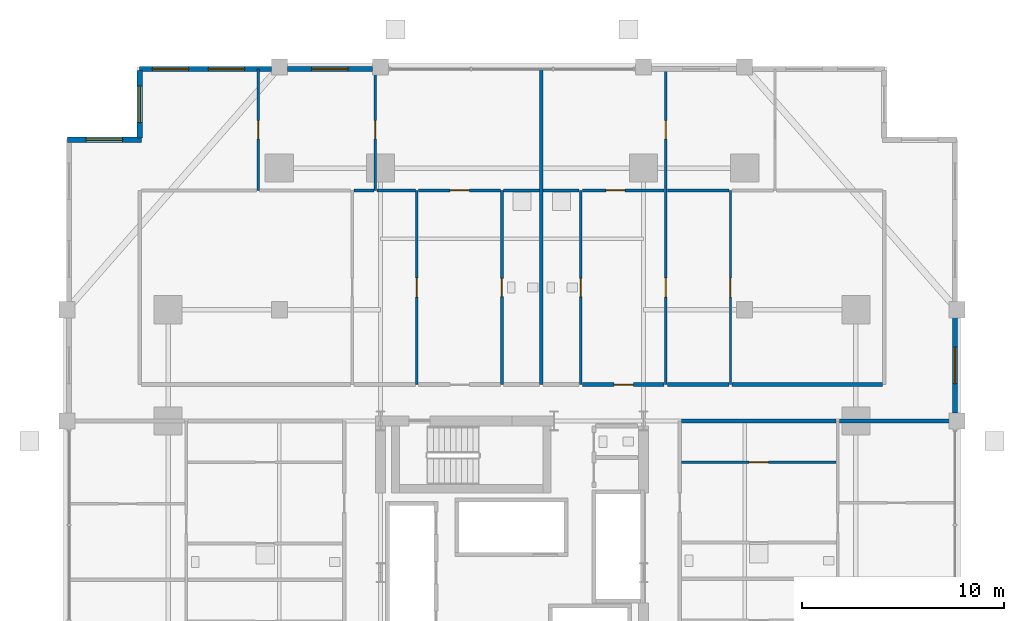
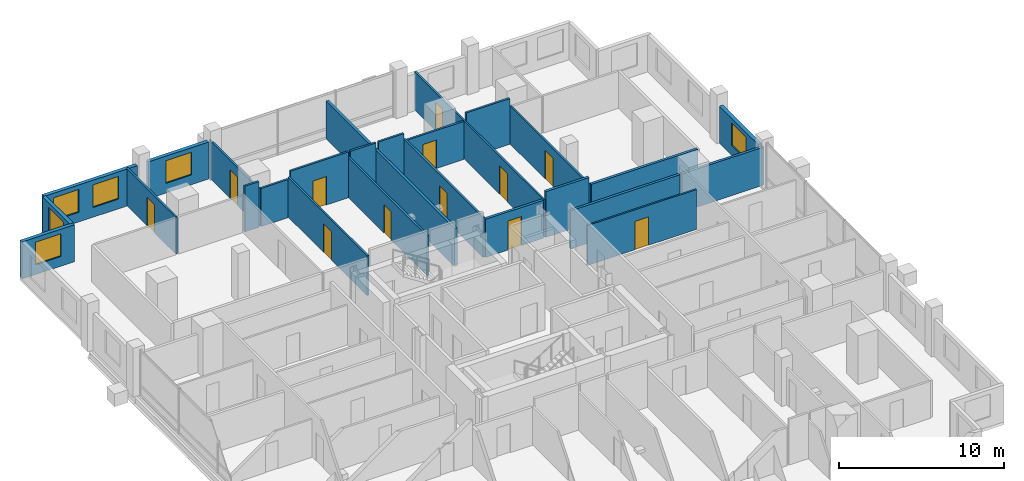
# One storey, part 21 of 24: 26 walls, 12 doors, 6 windows, 18 openings.
"""IFC4 building model written with IfcOpenShell, lengths in metres."""

from ifc_helpers import new_model, si_unit, direction, frame, frame_2d, origin, place, context, subcontext, project, spatial, rectangle, extrude, material, layer, layer_set, type_object, element, fill, save


model = new_model("IFC4")

# Units and contexts
model_context = context("Model", 3, precision=1e-05, world=origin(), true_north=direction((0.0, 1.0)))
body_context = subcontext(model_context, "Body", "Model", "MODEL_VIEW")
ifc_project = project(units=[si_unit("LENGTHUNIT", "METRE"), si_unit("AREAUNIT", "SQUARE_METRE"), si_unit("VOLUMEUNIT", "CUBIC_METRE"), si_unit("PLANEANGLEUNIT", "RADIAN"), si_unit("MASSUNIT", "GRAM", prefix="KILO")], contexts=[model_context])

# Site, building, storey
site_placement = place(None, origin())
site = spatial("IfcSite", under=ifc_project, at=site_placement, CompositionType="ELEMENT")
building_placement = place(site_placement, origin())
building = spatial("IfcBuilding", under=site, at=building_placement, Name="Barlavira Tower and Art Museum", CompositionType="ELEMENT")
storey_placement = place(building_placement, frame((0.0, 0.0, 32.39990234375)))
storey = spatial("IfcBuildingStorey", under=building, at=storey_placement, Name="L06", CompositionType="ELEMENT", Elevation=32.39990234375)

# Wall, opening, door
ifc_material_1 = material(Name="Gypsum acoustic stud partition", Category="gypsum")
ifc_layer_1 = layer(ifc_material_1, 0.1201171875, Name="Gypsum acoustic stud partition")
ifc_layer_set_1 = layer_set([ifc_layer_1], Name="Gypsum acoustic stud partition")
wall_type_1 = type_object("IfcWallType", Name="Apartment Internal Acoustic Partition 120", PredefinedType="PARTITIONING", material=ifc_layer_set_1)
wall_1_placement = place(storey_placement, frame((-12.550048828125, 18.89990234375, 0.0), z_axis=(0.0, 0.0, 1.0), x_axis=(0.0, 1.0, 0.0)))
wall_1 = element("IfcWall", 1, at=wall_1_placement, inside=storey, type_object=wall_type_1, Name="L06 Partition Wall 7", PredefinedType="PARTITIONING", context=body_context, shape_type="SweptSolid", body=[
    extrude(rectangle(XDim=6.0, YDim=0.1201171875, at=frame_2d((3.0, 0.0))), origin(), (0.0, 0.0, 1.0), 2.736083984375),
])
opening_1_placement = place(wall_1_placement, frame((2.550048828125, 0.0, 0.0)))
opening_1 = element("IfcOpeningElement", 2, at=opening_1_placement, cuts=wall_1, Name="Opening D-01", PredefinedType="OPENING", context=body_context, shape_type="SweptSolid", body=[
    extrude(rectangle(XDim=0.89990234375, YDim=2.10009765625, at=frame_2d((0.449951171875, 1.050048828125))), frame((0.0, 0.070068359375, 0.0), z_axis=(0.0, -1.0, 0.0), x_axis=(1.0, 0.0, 0.0)), (0.0, 0.0, 1.0), 0.14013671875),
])
ifc_material_2 = material(Name="Engineered coastal hardwood", Category="wood")
door_type_1 = type_object("IfcDoorType", Name="Internal Bedroom Timber Flush Door 900x2100", OperationType="NOTDEFINED", PredefinedType="DOOR", material=ifc_material_2)
door_1_placement = place(opening_1_placement, origin())
door_1 = element("IfcDoor", 3, at=door_1_placement, inside=storey, type_object=door_type_1, Name="Apartment N1 Bedroom 2 Door", OperationType="SINGLE_SWING_LEFT", OverallHeight=2.10009765625, OverallWidth=0.89990234375, PredefinedType="DOOR", context=body_context, shape_type="SweptSolid", body=[
    extrude(rectangle(XDim=0.89990234375, YDim=2.10009765625, at=frame_2d((0.449951171875, 1.050048828125))), frame((0.0, 0.02490234375, 0.0), z_axis=(0.0, -1.0, 0.0), x_axis=(1.0, 0.0, 0.0)), (0.0, 0.0, 1.0), 0.050048828125),
])
fill(opening_1, door_1)

wall_2_placement = place(storey_placement, frame((-6.75, 18.89990234375, 0.0), z_axis=(0.0, 0.0, 1.0), x_axis=(0.0, 1.0, 0.0)))
wall_2 = element("IfcWall", 4, at=wall_2_placement, inside=storey, type_object=wall_type_1, Name="L06 Partition Wall 12", PredefinedType="PARTITIONING", context=body_context, shape_type="SweptSolid", body=[
    extrude(rectangle(XDim=6.0, YDim=0.1201171875, at=frame_2d((3.0, 0.0))), origin(), (0.0, 0.0, 1.0), 2.816162109375),
])
opening_2_placement = place(wall_2_placement, frame((2.550048828125, 0.0, 0.0)))
opening_2 = element("IfcOpeningElement", 5, at=opening_2_placement, cuts=wall_2, Name="Opening D-01", PredefinedType="OPENING", context=body_context, shape_type="SweptSolid", body=[
    extrude(rectangle(XDim=0.89990234375, YDim=2.10009765625, at=frame_2d((0.449951171875, 1.050048828125))), frame((0.0, 0.070068359375, 0.0), z_axis=(0.0, -1.0, 0.0), x_axis=(1.0, 0.0, 0.0)), (0.0, 0.0, 1.0), 0.14013671875),
])
door_2_placement = place(opening_2_placement, origin())
door_2 = element("IfcDoor", 6, at=door_2_placement, inside=storey, type_object=door_type_1, Name="Apartment N1 Bedroom 1 Door", OperationType="SINGLE_SWING_RIGHT", OverallHeight=2.10009765625, OverallWidth=0.89990234375, PredefinedType="DOOR", context=body_context, shape_type="SweptSolid", body=[
    extrude(rectangle(XDim=0.89990234375, YDim=2.10009765625, at=frame_2d((0.449951171875, 1.050048828125))), frame((0.0, 0.02490234375, 0.0), z_axis=(0.0, -1.0, 0.0), x_axis=(1.0, 0.0, 0.0)), (0.0, 0.0, 1.0), 0.050048828125),
])
fill(opening_2, door_2)

wall_3_placement = place(storey_placement, frame((-4.699951171875, 9.300048828125, 0.0), z_axis=(0.0, 0.0, 1.0), x_axis=(0.0, 1.0, 0.0)))
wall_3 = element("IfcWall", 7, at=wall_3_placement, inside=storey, type_object=wall_type_1, Name="L06 Partition Wall 13", PredefinedType="PARTITIONING", context=body_context, shape_type="SweptSolid", body=[
    extrude(rectangle(XDim=9.599853515625, YDim=0.1201171875, at=frame_2d((4.7998046875, 0.0))), origin(), (0.0, 0.0, 1.0), 2.947998046875),
])
opening_3_placement = place(wall_3_placement, frame((4.324951171875, 0.0, 0.0)))
opening_3 = element("IfcOpeningElement", 8, at=opening_3_placement, cuts=wall_3, Name="Opening D-02", PredefinedType="OPENING", context=body_context, shape_type="SweptSolid", body=[
    extrude(rectangle(XDim=0.949951171875, YDim=2.10009765625, at=frame_2d((0.47509765625, 1.050048828125))), frame((0.0, 0.070068359375, 0.0), z_axis=(0.0, -1.0, 0.0), x_axis=(1.0, 0.0, 0.0)), (0.0, 0.0, 1.0), 0.14013671875),
])
door_type_2 = type_object("IfcDoorType", Name="Living and Salon Glazed-Leaf Door 950x2100", OperationType="NOTDEFINED", PredefinedType="DOOR", material=ifc_material_2)
door_3_placement = place(opening_3_placement, origin())
door_3 = element("IfcDoor", 9, at=door_3_placement, inside=storey, type_object=door_type_2, Name="Apartment N1 Kitchen Door", OperationType="SINGLE_SWING_LEFT", OverallHeight=2.10009765625, OverallWidth=0.949951171875, PredefinedType="DOOR", context=body_context, shape_type="SweptSolid", body=[
    extrude(rectangle(XDim=0.949951171875, YDim=2.10009765625, at=frame_2d((0.47509765625, 1.050048828125))), frame((0.0, 0.02490234375, 0.0), z_axis=(0.0, -1.0, 0.0), x_axis=(1.0, 0.0, 0.0)), (0.0, 0.0, 1.0), 0.050048828125),
])
fill(opening_3, door_3)

# Wall, openings, doors
wall_4_placement = place(storey_placement, frame((7.60009765625, 9.300048828125, 0.0), z_axis=(0.0, 0.0, 1.0), x_axis=(0.0, 1.0, 0.0)))
wall_4 = element("IfcWall", 10, at=wall_4_placement, inside=storey, type_object=wall_type_1, Name="L06 Partition Wall 22", PredefinedType="PARTITIONING", context=body_context, shape_type="SweptSolid", body=[
    extrude(rectangle(XDim=15.599853515625, YDim=0.1201171875, at=frame_2d((7.7998046875, 0.0))), origin(), (0.0, 0.0, 1.0), 2.816162109375),
])
opening_4_placement = place(wall_4_placement, frame((4.324951171875, 0.0, 0.0)))
opening_4 = element("IfcOpeningElement", 11, at=opening_4_placement, cuts=wall_4, Name="Opening D-02", PredefinedType="OPENING", context=body_context, shape_type="SweptSolid", body=[
    extrude(rectangle(XDim=0.949951171875, YDim=2.10009765625, at=frame_2d((0.47509765625, 1.050048828125))), frame((0.0, 0.070068359375, 0.0), z_axis=(0.0, -1.0, 0.0), x_axis=(1.0, 0.0, 0.0)), (0.0, 0.0, 1.0), 0.14013671875),
])
opening_5_placement = place(wall_4_placement, frame((12.14990234375, 0.0, 0.0)))
opening_5 = element("IfcOpeningElement", 12, at=opening_5_placement, cuts=wall_4, Name="Opening D-01", PredefinedType="OPENING", context=body_context, shape_type="SweptSolid", body=[
    extrude(rectangle(XDim=0.89990234375, YDim=2.10009765625, at=frame_2d((0.449951171875, 1.050048828125))), frame((0.0, 0.070068359375, 0.0), z_axis=(0.0, -1.0, 0.0), x_axis=(1.0, 0.0, 0.0)), (0.0, 0.0, 1.0), 0.14013671875),
])
door_4_placement = place(opening_5_placement, origin())
door_4 = element("IfcDoor", 13, at=door_4_placement, inside=storey, type_object=door_type_1, Name="Apartment N2 Bedroom 1 Door", OperationType="SINGLE_SWING_LEFT", OverallHeight=2.10009765625, OverallWidth=0.89990234375, PredefinedType="DOOR", context=body_context, shape_type="SweptSolid", body=[
    extrude(rectangle(XDim=0.89990234375, YDim=2.10009765625, at=frame_2d((0.449951171875, 1.050048828125))), frame((0.0, 0.02490234375, 0.0), z_axis=(0.0, -1.0, 0.0), x_axis=(1.0, 0.0, 0.0)), (0.0, 0.0, 1.0), 0.050048828125),
])
fill(opening_5, door_4)
door_5_placement = place(opening_4_placement, origin())
door_5 = element("IfcDoor", 14, at=door_5_placement, inside=storey, type_object=door_type_2, Name="Apartment N2 Kitchen Door", OperationType="SINGLE_SWING_RIGHT", OverallHeight=2.10009765625, OverallWidth=0.949951171875, PredefinedType="DOOR", context=body_context, shape_type="SweptSolid", body=[
    extrude(rectangle(XDim=0.949951171875, YDim=2.10009765625, at=frame_2d((0.47509765625, 1.050048828125))), frame((0.0, 0.02490234375, 0.0), z_axis=(0.0, -1.0, 0.0), x_axis=(1.0, 0.0, 0.0)), (0.0, 0.0, 1.0), 0.050048828125),
])
fill(opening_4, door_5)

# Wall, opening, door
wall_5_placement = place(storey_placement, frame((10.800048828125, 9.300048828125, 0.0), z_axis=(0.0, 0.0, 1.0), x_axis=(0.0, 1.0, 0.0)))
wall_5 = element("IfcWall", 15, at=wall_5_placement, inside=storey, type_object=wall_type_1, Name="L06 Partition Wall 26", PredefinedType="PARTITIONING", context=body_context, shape_type="SweptSolid", body=[
    extrude(rectangle(XDim=9.599853515625, YDim=0.1201171875, at=frame_2d((4.7998046875, 0.0))), origin(), (0.0, 0.0, 1.0), 2.816162109375),
])
opening_6_placement = place(wall_5_placement, frame((4.324951171875, 0.0, 0.0)))
opening_6 = element("IfcOpeningElement", 16, at=opening_6_placement, cuts=wall_5, Name="Opening D-02", PredefinedType="OPENING", context=body_context, shape_type="SweptSolid", body=[
    extrude(rectangle(XDim=0.949951171875, YDim=2.10009765625, at=frame_2d((0.47509765625, 1.050048828125))), frame((0.0, 0.070068359375, 0.0), z_axis=(0.0, -1.0, 0.0), x_axis=(1.0, 0.0, 0.0)), (0.0, 0.0, 1.0), 0.14013671875),
])
door_6_placement = place(opening_6_placement, origin())
door_6 = element("IfcDoor", 17, at=door_6_placement, inside=storey, type_object=door_type_2, Name="Apartment N2 Dining Salon Door", OperationType="SINGLE_SWING_LEFT", OverallHeight=2.10009765625, OverallWidth=0.949951171875, PredefinedType="DOOR", context=body_context, shape_type="SweptSolid", body=[
    extrude(rectangle(XDim=0.949951171875, YDim=2.10009765625, at=frame_2d((0.47509765625, 1.050048828125))), frame((0.0, 0.02490234375, 0.0), z_axis=(0.0, -1.0, 0.0), x_axis=(1.0, 0.0, 0.0)), (0.0, 0.0, 1.0), 0.050048828125),
])
fill(opening_6, door_6)

wall_6_placement = place(storey_placement, frame((8.3798828125, 5.449951171875, 0.0), z_axis=(0.0, 0.0, 1.0), x_axis=(1.0, 0.0, 0.0)))
wall_6 = element("IfcWall", 18, at=wall_6_placement, inside=storey, type_object=wall_type_1, Name="L06 Partition Wall 77", PredefinedType="PARTITIONING", context=body_context, shape_type="SweptSolid", body=[
    extrude(rectangle(XDim=7.64013671875, YDim=0.1201171875, at=frame_2d((3.820068359375, 0.0))), origin(), (0.0, 0.0, 1.0), 2.947998046875),
])
opening_7_placement = place(wall_6_placement, frame((3.344970703125, 0.0, 0.0)))
opening_7 = element("IfcOpeningElement", 19, at=opening_7_placement, cuts=wall_6, Name="Opening D-02", PredefinedType="OPENING", context=body_context, shape_type="SweptSolid", body=[
    extrude(rectangle(XDim=0.949951171875, YDim=2.10009765625, at=frame_2d((0.47509765625, 1.050048828125))), frame((0.0, 0.070068359375, 0.0), z_axis=(0.0, -1.0, 0.0), x_axis=(1.0, 0.0, 0.0)), (0.0, 0.0, 1.0), 0.14013671875),
])
door_7_placement = place(opening_7_placement, origin())
door_7 = element("IfcDoor", 20, at=door_7_placement, inside=storey, type_object=door_type_2, Name="Apartment E2 Kitchen Door", OperationType="SINGLE_SWING_RIGHT", OverallHeight=2.10009765625, OverallWidth=0.949951171875, PredefinedType="DOOR", context=body_context, shape_type="SweptSolid", body=[
    extrude(rectangle(XDim=0.949951171875, YDim=2.10009765625, at=frame_2d((0.47509765625, 1.050048828125))), frame((0.0, 0.02490234375, 0.0), z_axis=(0.0, -1.0, 0.0), x_axis=(1.0, 0.0, 0.0)), (0.0, 0.0, 1.0), 0.050048828125),
])
fill(opening_7, door_7)

# Walls
ifc_layer_2 = layer(ifc_material_1, 0.179931640625, Name="Gypsum acoustic stud partition")
ifc_layer_set_2 = layer_set([ifc_layer_2], Name="Gypsum acoustic stud partition")
wall_type_2 = type_object("IfcWallType", Name="Inter-Tenancy Party Partition Wall 180", PredefinedType="PARTITIONING", material=ifc_layer_set_2)
wall_7_placement = place(storey_placement, frame((1.449951171875, 9.300048828125, 0.0), z_axis=(0.0, 0.0, 1.0), x_axis=(0.0, 1.0, 0.0)))
element("IfcWall", 21, at=wall_7_placement, inside=storey, type_object=wall_type_2, Name="L06 Partition Wall 18", PredefinedType="PARTITIONING", context=body_context, shape_type="SweptSolid", body=[
    extrude(rectangle(XDim=15.599853515625, YDim=0.179931640625, at=frame_2d((7.7998046875, 0.0))), origin(), (0.0, 0.0, 1.0), 2.816162109375),
])
wall_8_placement = place(storey_placement, frame((8.3798828125, 7.5, 0.0), z_axis=(0.0, 0.0, 1.0), x_axis=(1.0, 0.0, 0.0)))
element("IfcWall", 22, at=wall_8_placement, inside=storey, type_object=wall_type_2, Name="L06 Partition Wall 82", PredefinedType="PARTITIONING", context=body_context, shape_type="SweptSolid", body=[
    extrude(rectangle(XDim=7.64013671875, YDim=0.179931640625, at=frame_2d((3.820068359375, 0.0))), origin(), (0.0, 0.0, 1.0), 2.816162109375),
])
wall_9_placement = place(storey_placement, frame((16.179931640625, 7.5, 0.0), z_axis=(0.0, 0.0, 1.0), x_axis=(1.0, 0.0, 0.0)))
element("IfcWall", 23, at=wall_9_placement, inside=storey, type_object=wall_type_2, Name="L06 Partition Wall 83", PredefinedType="PARTITIONING", context=body_context, shape_type="SweptSolid", body=[
    extrude(rectangle(XDim=5.719970703125, YDim=0.179931640625, at=frame_2d((2.85986328125, 0.0))), origin(), (0.0, 0.0, 1.0), 2.816162109375),
])

# Wall, opening, door
wall_10_placement = place(storey_placement, frame((3.47998046875, 9.300048828125, 0.0), z_axis=(0.0, 0.0, 1.0), x_axis=(1.0, 0.0, 0.0)))
wall_10 = element("IfcWall", 24, at=wall_10_placement, inside=storey, type_object=wall_type_2, Name="L06 Partition Wall 89", PredefinedType="PARTITIONING", context=body_context, shape_type="SweptSolid", body=[
    extrude(rectangle(XDim=4.0400390625, YDim=0.179931640625, at=frame_2d((2.02001953125, 0.0))), origin(), (0.0, 0.0, 1.0), 2.816162109375),
])
opening_8_placement = place(wall_10_placement, frame((1.56494140625, 0.0, 0.0)))
opening_8 = element("IfcOpeningElement", 25, at=opening_8_placement, cuts=wall_10, Name="Opening FD-60", PredefinedType="OPENING", context=body_context, shape_type="SweptSolid", body=[
    extrude(rectangle(XDim=0.949951171875, YDim=2.14990234375, at=frame_2d((0.47509765625, 1.074951171875))), frame((0.0, 0.10009765625, 0.0), z_axis=(0.0, -1.0, 0.0), x_axis=(1.0, 0.0, 0.0)), (0.0, 0.0, 1.0), 0.199951171875),
])
ifc_material_3 = material(Name="Brushed stainless steel", Category="steel")
door_type_3 = type_object("IfcDoorType", Name="Apartment Entrance and Riser Fire Door 950x2150 FD60S", OperationType="NOTDEFINED", PredefinedType="DOOR", material=ifc_material_3)
door_8_placement = place(opening_8_placement, origin())
door_8 = element("IfcDoor", 26, at=door_8_placement, inside=storey, type_object=door_type_3, Name="Apartment Entrance Hall N2 Door", OperationType="SINGLE_SWING_LEFT", OverallHeight=2.14990234375, OverallWidth=0.949951171875, PredefinedType="DOOR", context=body_context, shape_type="SweptSolid", body=[
    extrude(rectangle(XDim=0.949951171875, YDim=2.14990234375, at=frame_2d((0.47509765625, 1.074951171875))), frame((0.0, 0.02490234375, 0.0), z_axis=(0.0, -1.0, 0.0), x_axis=(1.0, 0.0, 0.0)), (0.0, 0.0, 1.0), 0.050048828125),
])
fill(opening_8, door_8)

# Walls
wall_11_placement = place(storey_placement, frame((7.679931640625, 9.300048828125, 0.0), z_axis=(0.0, 0.0, 1.0), x_axis=(1.0, 0.0, 0.0)))
element("IfcWall", 27, at=wall_11_placement, inside=storey, type_object=wall_type_2, Name="L06 Partition Wall 90", PredefinedType="PARTITIONING", context=body_context, shape_type="SweptSolid", body=[
    extrude(rectangle(XDim=3.0400390625, YDim=0.179931640625, at=frame_2d((1.52001953125, 0.0))), origin(), (0.0, 0.0, 1.0), 3.380126953125),
])
wall_12_placement = place(storey_placement, frame((10.8798828125, 9.300048828125, 0.0), z_axis=(0.0, 0.0, 1.0), x_axis=(1.0, 0.0, 0.0)))
element("IfcWall", 28, at=wall_12_placement, inside=storey, type_object=wall_type_2, Name="L06 Partition Wall 91", PredefinedType="PARTITIONING", context=body_context, shape_type="SweptSolid", body=[
    extrude(rectangle(XDim=7.440185546875, YDim=0.179931640625, at=frame_2d((3.72021484375, 0.0))), origin(), (0.0, 0.0, 1.0), 2.816162109375),
])

# Wall, opening, door
ifc_layer_3 = layer(ifc_material_1, 0.139892578125, Name="Gypsum acoustic stud partition")
ifc_layer_set_3 = layer_set([ifc_layer_3], Name="Gypsum acoustic stud partition")
wall_type_3 = type_object("IfcWallType", Name="Moisture-Resistant Bathroom Partition 140", PredefinedType="PARTITIONING", material=ifc_layer_set_3)
wall_13_placement = place(storey_placement, frame((-0.5, 9.300048828125, 0.0), z_axis=(0.0, 0.0, 1.0), x_axis=(0.0, 1.0, 0.0)))
wall_13 = element("IfcWall", 29, at=wall_13_placement, inside=storey, type_object=wall_type_3, Name="L06 Partition Wall 16", PredefinedType="PARTITIONING", context=body_context, shape_type="SweptSolid", body=[
    extrude(rectangle(XDim=9.599853515625, YDim=0.139892578125, at=frame_2d((4.7998046875, 0.0))), origin(), (0.0, 0.0, 1.0), 2.947998046875),
])
opening_9_placement = place(wall_13_placement, frame((4.35009765625, 0.0, 0.0)))
opening_9 = element("IfcOpeningElement", 30, at=opening_9_placement, cuts=wall_13, Name="Opening D-WC", PredefinedType="OPENING", context=body_context, shape_type="SweptSolid", body=[
    extrude(rectangle(XDim=0.89990234375, YDim=2.10009765625, at=frame_2d((0.449951171875, 1.050048828125))), frame((0.0, 0.080078125, 0.0), z_axis=(0.0, -1.0, 0.0), x_axis=(1.0, 0.0, 0.0)), (0.0, 0.0, 1.0), 0.159912109375),
])
door_type_4 = type_object("IfcDoorType", Name="Accessible Bathroom Flush Door 900x2100", OperationType="NOTDEFINED", PredefinedType="DOOR", material=ifc_material_2)
door_9_placement = place(opening_9_placement, origin())
door_9 = element("IfcDoor", 31, at=door_9_placement, inside=storey, type_object=door_type_4, Name="Apartment N1 Hall Bathroom Door", OperationType="SINGLE_SWING_LEFT", OverallHeight=2.10009765625, OverallWidth=0.89990234375, PredefinedType="DOOR", context=body_context, shape_type="SweptSolid", body=[
    extrude(rectangle(XDim=0.89990234375, YDim=2.10009765625, at=frame_2d((0.449951171875, 1.050048828125))), frame((0.0, 0.02490234375, 0.0), z_axis=(0.0, -1.0, 0.0), x_axis=(1.0, 0.0, 0.0)), (0.0, 0.0, 1.0), 0.050048828125),
])
fill(opening_9, door_9)

wall_14_placement = place(storey_placement, frame((3.39990234375, 9.300048828125, 0.0), z_axis=(0.0, 0.0, 1.0), x_axis=(0.0, 1.0, 0.0)))
wall_14 = element("IfcWall", 32, at=wall_14_placement, inside=storey, type_object=wall_type_3, Name="L06 Partition Wall 19", PredefinedType="PARTITIONING", context=body_context, shape_type="SweptSolid", body=[
    extrude(rectangle(XDim=9.599853515625, YDim=0.139892578125, at=frame_2d((4.7998046875, 0.0))), origin(), (0.0, 0.0, 1.0), 2.947998046875),
])
opening_10_placement = place(wall_14_placement, frame((4.35009765625, 0.0, 0.0)))
opening_10 = element("IfcOpeningElement", 33, at=opening_10_placement, cuts=wall_14, Name="Opening D-WC", PredefinedType="OPENING", context=body_context, shape_type="SweptSolid", body=[
    extrude(rectangle(XDim=0.89990234375, YDim=2.10009765625, at=frame_2d((0.449951171875, 1.050048828125))), frame((0.0, 0.080078125, 0.0), z_axis=(0.0, -1.0, 0.0), x_axis=(1.0, 0.0, 0.0)), (0.0, 0.0, 1.0), 0.159912109375),
])
door_10_placement = place(opening_10_placement, origin())
door_10 = element("IfcDoor", 34, at=door_10_placement, inside=storey, type_object=door_type_4, Name="Apartment N2 Hall Bathroom Door", OperationType="SINGLE_SWING_RIGHT", OverallHeight=2.10009765625, OverallWidth=0.89990234375, PredefinedType="DOOR", context=body_context, shape_type="SweptSolid", body=[
    extrude(rectangle(XDim=0.89990234375, YDim=2.10009765625, at=frame_2d((0.449951171875, 1.050048828125))), frame((0.0, 0.02490234375, 0.0), z_axis=(0.0, -1.0, 0.0), x_axis=(1.0, 0.0, 0.0)), (0.0, 0.0, 1.0), 0.050048828125),
])
fill(opening_10, door_10)

# Walls
wall_15_placement = place(storey_placement, frame((-7.820068359375, 18.89990234375, 0.0), z_axis=(0.0, 0.0, 1.0), x_axis=(1.0, 0.0, 0.0)))
element("IfcWall", 35, at=wall_15_placement, inside=storey, type_object=wall_type_3, Name="L06 Partition Wall 94", PredefinedType="PARTITIONING", context=body_context, shape_type="SweptSolid", body=[
    extrude(rectangle(XDim=0.989990234375, YDim=0.139892578125, at=frame_2d((0.4951171875, 0.0))), origin(), (0.0, 0.0, 1.0), 3.380126953125),
])
wall_16_placement = place(storey_placement, frame((-6.669921875, 18.89990234375, 0.0), z_axis=(0.0, 0.0, 1.0), x_axis=(1.0, 0.0, 0.0)))
element("IfcWall", 36, at=wall_16_placement, inside=storey, type_object=wall_type_3, Name="L06 Partition Wall 95", PredefinedType="PARTITIONING", context=body_context, shape_type="SweptSolid", body=[
    extrude(rectangle(XDim=1.889892578125, YDim=0.139892578125, at=frame_2d((0.94482421875, 0.0))), origin(), (0.0, 0.0, 1.0), 2.816162109375),
])

# Wall, opening, door
wall_17_placement = place(storey_placement, frame((-4.6201171875, 18.89990234375, 0.0), z_axis=(0.0, 0.0, 1.0), x_axis=(1.0, 0.0, 0.0)))
wall_17 = element("IfcWall", 37, at=wall_17_placement, inside=storey, type_object=wall_type_3, Name="L06 Partition Wall 96", PredefinedType="PARTITIONING", context=body_context, shape_type="SweptSolid", body=[
    extrude(rectangle(XDim=4.0400390625, YDim=0.139892578125, at=frame_2d((2.02001953125, 0.0))), origin(), (0.0, 0.0, 1.0), 3.380126953125),
])
opening_11_placement = place(wall_17_placement, frame((1.56494140625, 0.0, 0.0)))
opening_11 = element("IfcOpeningElement", 38, at=opening_11_placement, cuts=wall_17, Name="Opening D-02", PredefinedType="OPENING", context=body_context, shape_type="SweptSolid", body=[
    extrude(rectangle(XDim=0.949951171875, YDim=2.10009765625, at=frame_2d((0.47509765625, 1.050048828125))), frame((0.0, 0.080078125, 0.0), z_axis=(0.0, -1.0, 0.0), x_axis=(1.0, 0.0, 0.0)), (0.0, 0.0, 1.0), 0.159912109375),
])
door_11_placement = place(opening_11_placement, origin())
door_11 = element("IfcDoor", 39, at=door_11_placement, inside=storey, type_object=door_type_2, Name="Apartment N1 Living Lounge Door", OperationType="SINGLE_SWING_LEFT", OverallHeight=2.10009765625, OverallWidth=0.949951171875, PredefinedType="DOOR", context=body_context, shape_type="SweptSolid", body=[
    extrude(rectangle(XDim=0.949951171875, YDim=2.10009765625, at=frame_2d((0.47509765625, 1.050048828125))), frame((0.0, 0.02490234375, 0.0), z_axis=(0.0, -1.0, 0.0), x_axis=(1.0, 0.0, 0.0)), (0.0, 0.0, 1.0), 0.050048828125),
])
fill(opening_11, door_11)

# Walls
for number, where, z_axis, x_axis, name in (
    (40, (-0.419921875, 18.89990234375, 0.0), (0.0, 0.0, 1.0), (1.0, 0.0, 0.0), "L06 Partition Wall 97"),
    (41, (1.530029296875, 18.89990234375, 0.0), (0.0, 0.0, 1.0), (1.0, 0.0, 0.0), "L06 Partition Wall 98"),
):
    element("IfcWall", number, at=place(storey_placement, frame(where, z_axis=z_axis, x_axis=x_axis)), inside=storey, type_object=wall_type_3, Name=name, PredefinedType="PARTITIONING", context=body_context, shape_type="SweptSolid", body=[
        extrude(rectangle(XDim=1.7900390625, YDim=0.139892578125, at=frame_2d((0.89501953125, 0.0))), origin(), (0.0, 0.0, 1.0), 3.380126953125),
    ])

# Wall, opening, door
wall_18_placement = place(storey_placement, frame((3.47998046875, 18.89990234375, 0.0), z_axis=(0.0, 0.0, 1.0), x_axis=(1.0, 0.0, 0.0)))
wall_18 = element("IfcWall", 42, at=wall_18_placement, inside=storey, type_object=wall_type_3, Name="L06 Partition Wall 99", PredefinedType="PARTITIONING", context=body_context, shape_type="SweptSolid", body=[
    extrude(rectangle(XDim=4.0400390625, YDim=0.139892578125, at=frame_2d((2.02001953125, 0.0))), origin(), (0.0, 0.0, 1.0), 2.816162109375),
])
opening_12_placement = place(wall_18_placement, frame((1.156494140625, 0.0, 0.0)))
opening_12 = element("IfcOpeningElement", 43, at=opening_12_placement, cuts=wall_18, Name="Opening D-02", PredefinedType="OPENING", context=body_context, shape_type="SweptSolid", body=[
    extrude(rectangle(XDim=0.949951171875, YDim=2.10009765625, at=frame_2d((0.47509765625, 1.050048828125))), frame((0.0, 0.080078125, 0.0), z_axis=(0.0, -1.0, 0.0), x_axis=(1.0, 0.0, 0.0)), (0.0, 0.0, 1.0), 0.159912109375),
])
door_12_placement = place(opening_12_placement, origin())
door_12 = element("IfcDoor", 44, at=door_12_placement, inside=storey, type_object=door_type_2, Name="Apartment N2 Living Lounge Door", OperationType="SINGLE_SWING_RIGHT", OverallHeight=2.10009765625, OverallWidth=0.949951171875, PredefinedType="DOOR", context=body_context, shape_type="SweptSolid", body=[
    extrude(rectangle(XDim=0.949951171875, YDim=2.10009765625, at=frame_2d((0.47509765625, 1.050048828125))), frame((0.0, 0.02490234375, 0.0), z_axis=(0.0, -1.0, 0.0), x_axis=(1.0, 0.0, 0.0)), (0.0, 0.0, 1.0), 0.050048828125),
])
fill(opening_12, door_12)

# Wall
wall_19_placement = place(storey_placement, frame((7.679931640625, 18.89990234375, 0.0), z_axis=(0.0, 0.0, 1.0), x_axis=(1.0, 0.0, 0.0)))
element("IfcWall", 45, at=wall_19_placement, inside=storey, type_object=wall_type_3, Name="L06 Partition Wall 100", PredefinedType="PARTITIONING", context=body_context, shape_type="SweptSolid", body=[
    extrude(rectangle(XDim=3.0400390625, YDim=0.139892578125, at=frame_2d((1.52001953125, 0.0))), origin(), (0.0, 0.0, 1.0), 3.380126953125),
])

# Wall, opening, window
ifc_material_4 = material(Name="Precast concrete C40", Category="concrete")
ifc_layer_4 = layer(ifc_material_4, 0.25, Name="Precast concrete C40")
ifc_layer_set_4 = layer_set([ifc_layer_4], Name="Precast concrete C40")
wall_type_4 = type_object("IfcWallType", Name="Notched Corner Spandrel Wall 250 Precast Concrete C40", PredefinedType="SOLIDWALL", material=ifc_layer_set_4)
wall_20_placement = place(storey_placement, frame((-6.89501953125, 24.89990234375, 0.0), z_axis=(0.0, 0.0, 1.0), x_axis=(-1.0, 0.0, 0.0)))
wall_20 = element("IfcWall", 46, at=wall_20_placement, inside=storey, type_object=wall_type_4, Name="L06 Coastal Facade Pier Wall CW1-L06-N-4", PredefinedType="SOLIDWALL", context=body_context, shape_type="SweptSolid", body=[
    extrude(rectangle(XDim=4.2099609375, YDim=0.25, at=frame_2d((2.10498046875, 0.0))), origin(), (0.0, 0.0, 1.0), 2.736083984375),
])
opening_13_placement = place(wall_20_placement, frame((1.205078125, 0.0, 0.719970703125)))
opening_13 = element("IfcOpeningElement", 47, at=opening_13_placement, cuts=wall_20, Name="Opening WN-01", PredefinedType="OPENING", context=body_context, shape_type="SweptSolid", body=[
    extrude(rectangle(XDim=1.800048828125, YDim=1.679931640625, at=frame_2d((0.89990234375, 0.83984375))), frame((0.0, 0.135009765625, 0.0), z_axis=(0.0, -1.0, 0.0), x_axis=(1.0, 0.0, 0.0)), (0.0, 0.0, 1.0), 0.27001953125),
])
ifc_material_5 = material(Name="Low-iron coastal laminated glass", Category="glass")
window_type = type_object("IfcWindowType", Name="Recessed Notch Corner Punch Window 1800x1680", PartitioningType="SINGLE_PANEL", PredefinedType="WINDOW", material=ifc_material_5)
window_1_placement = place(opening_13_placement, origin())
window_1 = element("IfcWindow", 48, at=window_1_placement, inside=storey, type_object=window_type, Name="L06 Punched Facade Window EWP-CW1-L06-N-4-1", OverallHeight=1.679931640625, OverallWidth=1.800048828125, PartitioningType="SINGLE_PANEL", PredefinedType="WINDOW", context=body_context, shape_type="SweptSolid", body=[
    extrude(rectangle(XDim=1.800048828125, YDim=1.679931640625, at=frame_2d((0.89990234375, 0.83984375))), frame((0.0, 0.030029296875, 0.0), z_axis=(0.0, -1.0, 0.0), x_axis=(1.0, 0.0, 0.0)), (0.0, 0.0, 1.0), 0.06005859375),
])
fill(opening_13, window_1)

# Wall, openings, windows
wall_21_placement = place(storey_placement, frame((-11.89501953125, 24.89990234375, 0.0), z_axis=(0.0, 0.0, 1.0), x_axis=(-1.0, 0.0, 0.0)))
wall_21 = element("IfcWall", 49, at=wall_21_placement, inside=storey, type_object=wall_type_4, Name="L06 Coastal Facade Pier Wall CW1-L06-N-5", PredefinedType="SOLIDWALL", context=body_context, shape_type="SweptSolid", body=[
    extrude(rectangle(XDim=6.530029296875, YDim=0.25, at=frame_2d((3.26513671875, 0.0))), origin(), (0.0, 0.0, 1.0), 2.736083984375),
])
opening_14_placement = place(wall_21_placement, frame((1.319091796875, 0.0, 0.719970703125)))
opening_14 = element("IfcOpeningElement", 50, at=opening_14_placement, cuts=wall_21, Name="Opening WN-01", PredefinedType="OPENING", context=body_context, shape_type="SweptSolid", body=[
    extrude(rectangle(XDim=1.800048828125, YDim=1.679931640625, at=frame_2d((0.89990234375, 0.83984375))), frame((0.0, 0.135009765625, 0.0), z_axis=(0.0, -1.0, 0.0), x_axis=(1.0, 0.0, 0.0)), (0.0, 0.0, 1.0), 0.27001953125),
])
opening_15_placement = place(wall_21_placement, frame((4.0859375, 0.0, 0.719970703125)))
opening_15 = element("IfcOpeningElement", 51, at=opening_15_placement, cuts=wall_21, Name="Opening WN-01", PredefinedType="OPENING", context=body_context, shape_type="SweptSolid", body=[
    extrude(rectangle(XDim=1.800048828125, YDim=1.679931640625, at=frame_2d((0.89990234375, 0.83984375))), frame((0.0, 0.135009765625, 0.0), z_axis=(0.0, -1.0, 0.0), x_axis=(1.0, 0.0, 0.0)), (0.0, 0.0, 1.0), 0.27001953125),
])
window_2_placement = place(opening_14_placement, origin())
window_2 = element("IfcWindow", 52, at=window_2_placement, inside=storey, type_object=window_type, Name="L06 Punched Facade Window EWP-CW1-L06-N-5-1", OverallHeight=1.679931640625, OverallWidth=1.800048828125, PartitioningType="SINGLE_PANEL", PredefinedType="WINDOW", context=body_context, shape_type="SweptSolid", body=[
    extrude(rectangle(XDim=1.800048828125, YDim=1.679931640625, at=frame_2d((0.89990234375, 0.83984375))), frame((0.0, 0.030029296875, 0.0), z_axis=(0.0, -1.0, 0.0), x_axis=(1.0, 0.0, 0.0)), (0.0, 0.0, 1.0), 0.06005859375),
])
fill(opening_14, window_2)
window_3_placement = place(opening_15_placement, origin())
window_3 = element("IfcWindow", 53, at=window_3_placement, inside=storey, type_object=window_type, Name="L06 Punched Facade Window EWP-CW1-L06-N-5-2", OverallHeight=1.679931640625, OverallWidth=1.800048828125, PartitioningType="SINGLE_PANEL", PredefinedType="WINDOW", context=body_context, shape_type="SweptSolid", body=[
    extrude(rectangle(XDim=1.800048828125, YDim=1.679931640625, at=frame_2d((0.89990234375, 0.83984375))), frame((0.0, 0.030029296875, 0.0), z_axis=(0.0, -1.0, 0.0), x_axis=(1.0, 0.0, 0.0)), (0.0, 0.0, 1.0), 0.06005859375),
])
fill(opening_15, window_3)

# Wall, opening, window
wall_22_placement = place(storey_placement, frame((21.89990234375, 7.89501953125, 0.0), z_axis=(0.0, 0.0, 1.0), x_axis=(0.0, 1.0, 0.0)))
wall_22 = element("IfcWall", 54, at=wall_22_placement, inside=storey, type_object=wall_type_4, Name="L06 Coastal Facade Pier Wall CW1-L06-E-4", PredefinedType="SOLIDWALL", context=body_context, shape_type="SweptSolid", body=[
    extrude(rectangle(XDim=4.7099609375, YDim=0.25, at=frame_2d((2.35498046875, 0.0))), origin(), (0.0, 0.0, 1.0), 2.736083984375),
])
opening_16_placement = place(wall_22_placement, frame((1.455078125, 0.0, 0.719970703125)))
opening_16 = element("IfcOpeningElement", 55, at=opening_16_placement, cuts=wall_22, Name="Opening WN-01", PredefinedType="OPENING", context=body_context, shape_type="SweptSolid", body=[
    extrude(rectangle(XDim=1.800048828125, YDim=1.679931640625, at=frame_2d((0.89990234375, 0.83984375))), frame((0.0, 0.135009765625, 0.0), z_axis=(0.0, -1.0, 0.0), x_axis=(1.0, 0.0, 0.0)), (0.0, 0.0, 1.0), 0.27001953125),
])
window_4_placement = place(opening_16_placement, origin())
window_4 = element("IfcWindow", 56, at=window_4_placement, inside=storey, type_object=window_type, Name="L06 Punched Facade Window EWP-CW1-L06-E-4-1", OverallHeight=1.679931640625, OverallWidth=1.800048828125, PartitioningType="SINGLE_PANEL", PredefinedType="WINDOW", context=body_context, shape_type="SweptSolid", body=[
    extrude(rectangle(XDim=1.800048828125, YDim=1.679931640625, at=frame_2d((0.89990234375, 0.83984375))), frame((0.0, 0.030029296875, 0.0), z_axis=(0.0, -1.0, 0.0), x_axis=(1.0, 0.0, 0.0)), (0.0, 0.0, 1.0), 0.06005859375),
])
fill(opening_16, window_4)

wall_23_placement = place(storey_placement, frame((-18.39990234375, 24.820068359375, 0.0), z_axis=(0.0, 0.0, 1.0), x_axis=(0.0, -1.0, 0.0)))
wall_23 = element("IfcWall", 57, at=wall_23_placement, inside=storey, type_object=wall_type_4, Name="L06 Notch Corner Wall NW1", PredefinedType="SOLIDWALL", context=body_context, shape_type="SweptSolid", body=[
    extrude(rectangle(XDim=3.340087890625, YDim=0.25, at=frame_2d((1.669921875, 0.0))), origin(), (0.0, 0.0, 1.0), 2.736083984375),
])
opening_17_placement = place(wall_23_placement, frame((0.77001953125, 0.0, 0.719970703125)))
opening_17 = element("IfcOpeningElement", 58, at=opening_17_placement, cuts=wall_23, Name="Opening WN-01", PredefinedType="OPENING", context=body_context, shape_type="SweptSolid", body=[
    extrude(rectangle(XDim=1.800048828125, YDim=1.679931640625, at=frame_2d((0.89990234375, 0.83984375))), frame((0.0, 0.135009765625, 0.0), z_axis=(0.0, -1.0, 0.0), x_axis=(1.0, 0.0, 0.0)), (0.0, 0.0, 1.0), 0.27001953125),
])
window_5_placement = place(opening_17_placement, origin())
window_5 = element("IfcWindow", 59, at=window_5_placement, inside=storey, type_object=window_type, Name="L06 Punched Facade Window EW-NTC-L06-NW1-1", OverallHeight=1.679931640625, OverallWidth=1.800048828125, PartitioningType="SINGLE_PANEL", PredefinedType="WINDOW", context=body_context, shape_type="SweptSolid", body=[
    extrude(rectangle(XDim=1.800048828125, YDim=1.679931640625, at=frame_2d((0.89990234375, 0.83984375))), frame((0.0, 0.030029296875, 0.0), z_axis=(0.0, -1.0, 0.0), x_axis=(1.0, 0.0, 0.0)), (0.0, 0.0, 1.0), 0.06005859375),
])
fill(opening_17, window_5)

wall_24_placement = place(storey_placement, frame((-18.320068359375, 21.39990234375, 0.0), z_axis=(0.0, 0.0, 1.0), x_axis=(-1.0, 0.0, 0.0)))
wall_24 = element("IfcWall", 60, at=wall_24_placement, inside=storey, type_object=wall_type_4, Name="L06 Notch Corner Wall NW2", PredefinedType="SOLIDWALL", context=body_context, shape_type="SweptSolid", body=[
    extrude(rectangle(XDim=3.659912109375, YDim=0.25, at=frame_2d((1.830078125, 0.0))), origin(), (0.0, 0.0, 1.0), 2.736083984375),
])
opening_18_placement = place(wall_24_placement, frame((0.929931640625, 0.0, 0.719970703125)))
opening_18 = element("IfcOpeningElement", 61, at=opening_18_placement, cuts=wall_24, Name="Opening WN-01", PredefinedType="OPENING", context=body_context, shape_type="SweptSolid", body=[
    extrude(rectangle(XDim=1.800048828125, YDim=1.679931640625, at=frame_2d((0.89990234375, 0.83984375))), frame((0.0, 0.135009765625, 0.0), z_axis=(0.0, -1.0, 0.0), x_axis=(1.0, 0.0, 0.0)), (0.0, 0.0, 1.0), 0.27001953125),
])
window_6_placement = place(opening_18_placement, origin())
window_6 = element("IfcWindow", 62, at=window_6_placement, inside=storey, type_object=window_type, Name="L06 Punched Facade Window EW-NTC-L06-NW2-1", OverallHeight=1.679931640625, OverallWidth=1.800048828125, PartitioningType="SINGLE_PANEL", PredefinedType="WINDOW", context=body_context, shape_type="SweptSolid", body=[
    extrude(rectangle(XDim=1.800048828125, YDim=1.679931640625, at=frame_2d((0.89990234375, 0.83984375))), frame((0.0, 0.030029296875, 0.0), z_axis=(0.0, -1.0, 0.0), x_axis=(1.0, 0.0, 0.0)), (0.0, 0.0, 1.0), 0.06005859375),
])
fill(opening_18, window_6)

save(model, "model.ifc")
